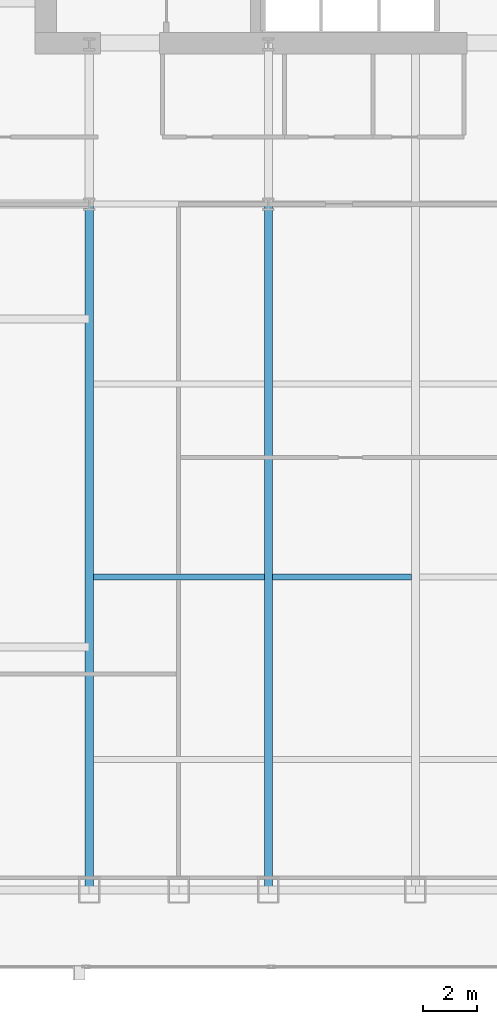
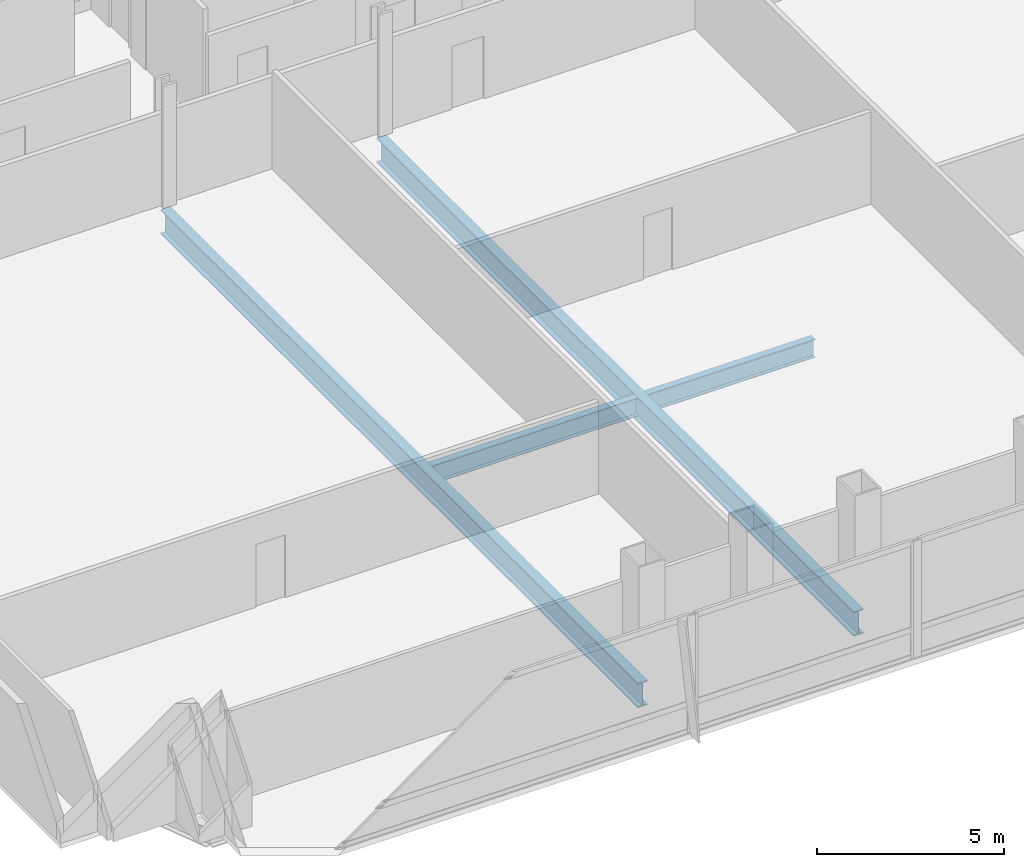
# One storey, part 9 of 35: 4 beams.
"""IFC4 building model written with IfcOpenShell, lengths in metres."""

from ifc_helpers import new_model, si_unit, direction, frame, origin, origin_2d, place, context, subcontext, project, spatial, i_section, extrude, material, material_profile, profile_set, type_object, element, save


model = new_model("IFC4")

# Units and contexts
model_context = context("Model", 3, precision=1e-05, world=origin(), true_north=direction((0.0, 1.0)))
body_context = subcontext(model_context, "Body", "Model", "MODEL_VIEW")
ifc_project = project(units=[si_unit("LENGTHUNIT", "METRE"), si_unit("AREAUNIT", "SQUARE_METRE"), si_unit("VOLUMEUNIT", "CUBIC_METRE"), si_unit("PLANEANGLEUNIT", "RADIAN"), si_unit("MASSUNIT", "GRAM", prefix="KILO")], contexts=[model_context])

# Site, building, storey
site_placement = place(None, origin())
site = spatial("IfcSite", under=ifc_project, at=site_placement, CompositionType="ELEMENT")
building_placement = place(site_placement, origin())
building = spatial("IfcBuilding", under=site, at=building_placement, Name="Khoronbel Lancet Exchange", CompositionType="ELEMENT")
storey_placement = place(building_placement, frame((0.0, 0.0, 53.800048828125)))
storey = spatial("IfcBuildingStorey", under=building, at=storey_placement, Name="L12", CompositionType="ELEMENT", Elevation=53.800048828125)

# Beams
ifc_material = material(Name="Steel S355", Category="steel")
ifc_material_profile_1 = material_profile(ifc_material, i_section(OverallWidth=0.300048828125, OverallDepth=0.800048828125, WebThickness=0.017578125, FlangeThickness=0.032958984375, at=origin_2d()), Name="HEB 800")
ifc_profile_set_1 = profile_set([ifc_material_profile_1], Name="Steel S355")
beam_type_1 = type_object("IfcBeamType", Name="BM-BG2", PredefinedType="BEAM", material=ifc_profile_set_1)
for number, where, z_axis, x_axis, name in (
    (1, (18.22509765625, 10.14990234375, -0.580078125), (0.0, 1.0, 0.0), (-1.0, 0.0, 0.0), "Level L12 south primary girder GS1"),
    (2, (24.89990234375, 10.14990234375, -0.580078125), (0.0, 1.0, 0.0), (-1.0, 0.0, 0.0), "Level L12 south primary girder GS2"),
):
    element("IfcBeam", number, at=place(storey_placement, frame(where, z_axis=z_axis, x_axis=x_axis)), inside=storey, type_object=beam_type_1, Name=name, PredefinedType="BEAM", context=body_context, shape_type="SweptSolid", body=[
        extrude(i_section(OverallWidth=0.300048828125, OverallDepth=0.800048828125, WebThickness=0.017578125, FlangeThickness=0.032958984375, at=origin_2d()), origin(), (0.0, 0.0, 1.0), 25.550048828125),
    ])
ifc_material_profile_2 = material_profile(ifc_material, i_section(OverallWidth=0.219970703125, OverallDepth=0.60009765625, WebThickness=0.011962890625, FlangeThickness=0.01904296875, at=origin_2d()), Name="IPE 600")
ifc_profile_set_2 = profile_set([ifc_material_profile_2], Name="Steel S355")
beam_type_2 = type_object("IfcBeamType", Name="BM-BJ1", PredefinedType="JOIST", material=ifc_profile_set_2)
beam_1_placement = place(storey_placement, frame((18.375, 21.800048828125, -0.47998046875), z_axis=(1.0, 0.0, 0.0), x_axis=(0.0, 1.0, 0.0)))
element("IfcBeam", 3, at=beam_1_placement, inside=storey, type_object=beam_type_2, Name="Level L12 secondary composite joist J06", PredefinedType="JOIST", context=body_context, shape_type="SweptSolid", body=[
    extrude(i_section(OverallWidth=0.219970703125, OverallDepth=0.60009765625, WebThickness=0.011962890625, FlangeThickness=0.01904296875, at=origin_2d()), origin(), (0.0, 0.0, 1.0), 6.375),
])
beam_2_placement = place(storey_placement, frame((25.050048828125, 21.800048828125, -0.47998046875), z_axis=(1.0, 0.0, 0.0), x_axis=(0.0, 1.0, 0.0)))
element("IfcBeam", 4, at=beam_2_placement, inside=storey, type_object=beam_type_2, Name="Level L12 secondary composite joist J07", PredefinedType="JOIST", context=body_context, shape_type="SweptSolid", body=[
    extrude(i_section(OverallWidth=0.219970703125, OverallDepth=0.60009765625, WebThickness=0.011962890625, FlangeThickness=0.01904296875, at=origin_2d()), origin(), (0.0, 0.0, 1.0), 5.175048828125),
])

save(model, "model.ifc")
